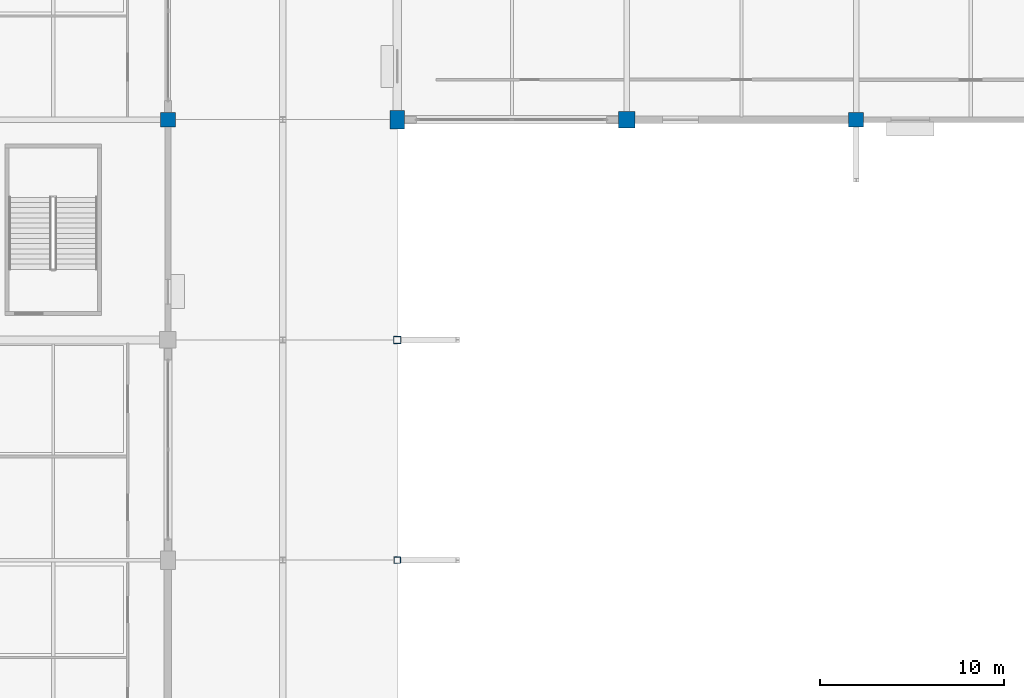
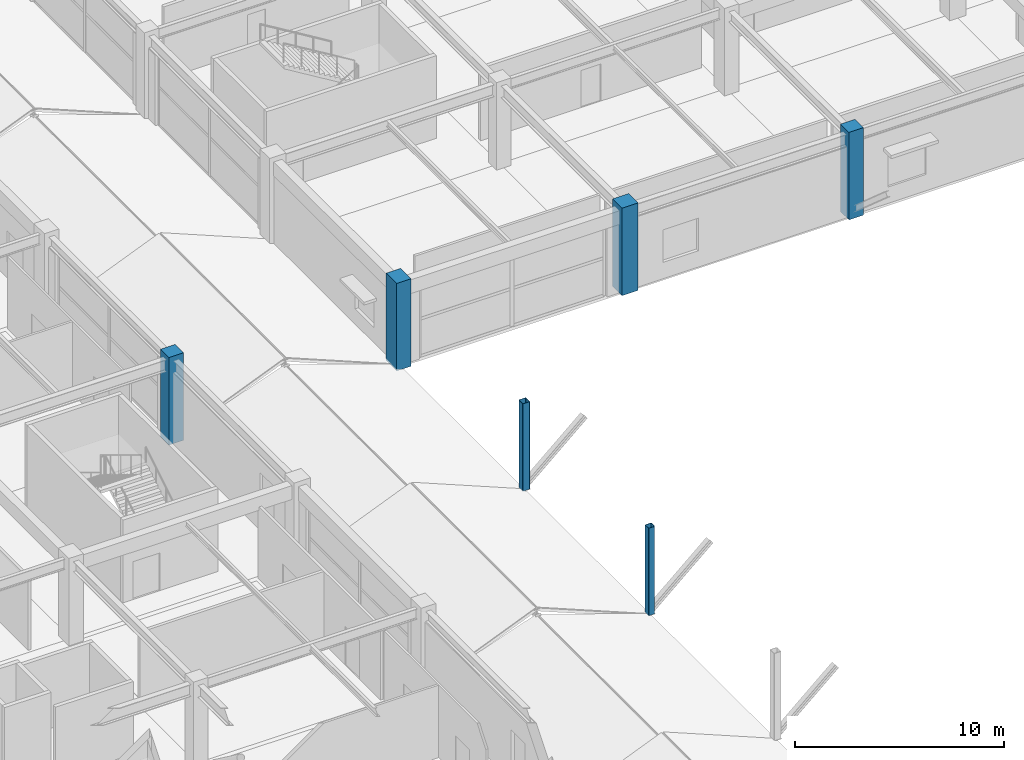
# One storey, part 6 of 116: 6 columns.
"""IFC4 building model written with IfcOpenShell, lengths in metres."""

from ifc_helpers import new_model, si_unit, direction, frame, origin, origin_2d, place, context, subcontext, project, spatial, rectangle, hollow_rectangle, extrude, material, material_profile, profile_set, type_object, element, save


model = new_model("IFC4")

# Units and contexts
model_context = context("Model", 3, precision=1e-05, world=origin(), true_north=direction((0.0, 1.0)))
body_context = subcontext(model_context, "Body", "Model", "MODEL_VIEW")
ifc_project = project(units=[si_unit("LENGTHUNIT", "METRE"), si_unit("AREAUNIT", "SQUARE_METRE"), si_unit("VOLUMEUNIT", "CUBIC_METRE"), si_unit("PLANEANGLEUNIT", "RADIAN"), si_unit("MASSUNIT", "GRAM", prefix="KILO")], contexts=[model_context])

# Site, building, storey
site_placement = place(None, origin())
site = spatial("IfcSite", under=ifc_project, at=site_placement, CompositionType="ELEMENT")
building_placement = place(site_placement, origin())
building = spatial("IfcBuilding", under=site, at=building_placement, Name="Kazenohara Klinker Stadium", CompositionType="ELEMENT")
storey_placement = place(building_placement, frame((0.0, 0.0, 10.199951171875)))
storey = spatial("IfcBuildingStorey", under=building, at=storey_placement, Name="L02", CompositionType="ELEMENT", Elevation=10.199951171875)

# Columns
ifc_material_1 = material(Name="Concrete C40/50", Category="concrete")
ifc_material_profile_1 = material_profile(ifc_material_1, rectangle(XDim=0.800048828125, YDim=1.0, at=origin_2d()), Name="RC-COL-1000x800")
ifc_profile_set_1 = profile_set([ifc_material_profile_1], Name="Concrete C40/50")
column_type_1 = type_object("IfcColumnType", Name="COL-RC03", PredefinedType="COLUMN", material=ifc_profile_set_1)
column_1_placement = place(storey_placement, frame((49.0, 132.0, 0.0), z_axis=(0.0, 0.0, 1.0), x_axis=(1.0, 0.0, 0.0)))
element("IfcColumn", 1, at=column_1_placement, inside=storey, type_object=column_type_1, Name="Column C03 L02 5/M", PredefinedType="COLUMN", context=body_context, shape_type="SweptSolid", body=[
    extrude(rectangle(XDim=0.800048828125, YDim=1.0, at=origin_2d()), origin(), (0.0, 0.0, 1.0), 5.10009765625),
])
ifc_material_profile_2 = material_profile(ifc_material_1, rectangle(XDim=0.89990234375, YDim=0.89990234375, at=origin_2d()), Name="RC-COL-900x900")
ifc_profile_set_2 = profile_set([ifc_material_profile_2], Name="Concrete C40/50")
column_type_2 = type_object("IfcColumnType", Name="COL-RC04", PredefinedType="COLUMN", material=ifc_profile_set_2)
column_2_placement = place(storey_placement, frame((61.5, 132.0, 0.0), z_axis=(0.0, 0.0, 1.0), x_axis=(1.0, 0.0, 0.0)))
element("IfcColumn", 2, at=column_2_placement, inside=storey, type_object=column_type_2, Name="Column C04 L02 6/M", PredefinedType="COLUMN", context=body_context, shape_type="SweptSolid", body=[
    extrude(rectangle(XDim=0.89990234375, YDim=0.89990234375, at=origin_2d()), origin(), (0.0, 0.0, 1.0), 5.10009765625),
])
ifc_material_profile_3 = material_profile(ifc_material_1, rectangle(XDim=0.800048828125, YDim=0.800048828125, at=origin_2d()), Name="RC-COL-800x800")
ifc_profile_set_3 = profile_set([ifc_material_profile_3], Name="Concrete C40/50")
column_type_3 = type_object("IfcColumnType", Name="COL-RC05", PredefinedType="COLUMN", material=ifc_profile_set_3)
for number, where, z_axis, x_axis, name in (
    (3, (36.5, 132.0, 0.0), (0.0, 0.0, 1.0), (1.0, 0.0, 0.0), "Column C05 L02 4/M"),
    (4, (74.0, 132.0, 0.0), (0.0, 0.0, 1.0), (1.0, 0.0, 0.0), "Column C05 L02 7/M"),
):
    element("IfcColumn", number, at=place(storey_placement, frame(where, z_axis=z_axis, x_axis=x_axis)), inside=storey, type_object=column_type_3, Name=name, PredefinedType="COLUMN", context=body_context, shape_type="SweptSolid", body=[
        extrude(rectangle(XDim=0.800048828125, YDim=0.800048828125, at=origin_2d()), origin(), (0.0, 0.0, 1.0), 5.10009765625),
    ])
ifc_material_2 = material(Name="Steel S355", Category="steel")
ifc_material_profile_4 = material_profile(ifc_material_2, hollow_rectangle(XDim=0.39990234375, YDim=0.39990234375, WallThickness=0.01611328125, InnerFilletRadius=0.01611328125, OuterFilletRadius=0.031982421875, at=origin_2d()), Name="SHS-400x400x16")
ifc_profile_set_4 = profile_set([ifc_material_profile_4], Name="Steel S355")
column_type_4 = type_object("IfcColumnType", Name="COL-ST01", PredefinedType="COLUMN", material=ifc_profile_set_4)
column_3_placement = place(storey_placement, frame((49.0, 120.0, 0.0), z_axis=(0.0, 0.0, 1.0), x_axis=(1.0, 0.0, 0.0)))
element("IfcColumn", 5, at=column_3_placement, inside=storey, type_object=column_type_4, Name="Canopy ring support column SC01 L02 5/L", PredefinedType="COLUMN", context=body_context, shape_type="SweptSolid", body=[
    extrude(hollow_rectangle(XDim=0.39990234375, YDim=0.39990234375, WallThickness=0.01611328125, InnerFilletRadius=0.01611328125, OuterFilletRadius=0.031982421875, at=origin_2d()), origin(), (0.0, 0.0, 1.0), 5.10009765625),
])
ifc_material_profile_5 = material_profile(ifc_material_2, hollow_rectangle(XDim=0.35009765625, YDim=0.35009765625, WallThickness=0.01611328125, InnerFilletRadius=0.01611328125, OuterFilletRadius=0.031982421875, at=origin_2d()), Name="SHS-350x350x16")
ifc_profile_set_5 = profile_set([ifc_material_profile_5], Name="Steel S355")
column_type_5 = type_object("IfcColumnType", Name="COL-ST02", PredefinedType="COLUMN", material=ifc_profile_set_5)
column_4_placement = place(storey_placement, frame((49.0, 108.0, 0.0), z_axis=(0.0, 0.0, 1.0), x_axis=(1.0, 0.0, 0.0)))
element("IfcColumn", 6, at=column_4_placement, inside=storey, type_object=column_type_5, Name="Canopy ring support column SC02 L02 5/K", PredefinedType="COLUMN", context=body_context, shape_type="SweptSolid", body=[
    extrude(hollow_rectangle(XDim=0.35009765625, YDim=0.35009765625, WallThickness=0.01611328125, InnerFilletRadius=0.01611328125, OuterFilletRadius=0.031982421875, at=origin_2d()), origin(), (0.0, 0.0, 1.0), 5.10009765625),
])

save(model, "model.ifc")
